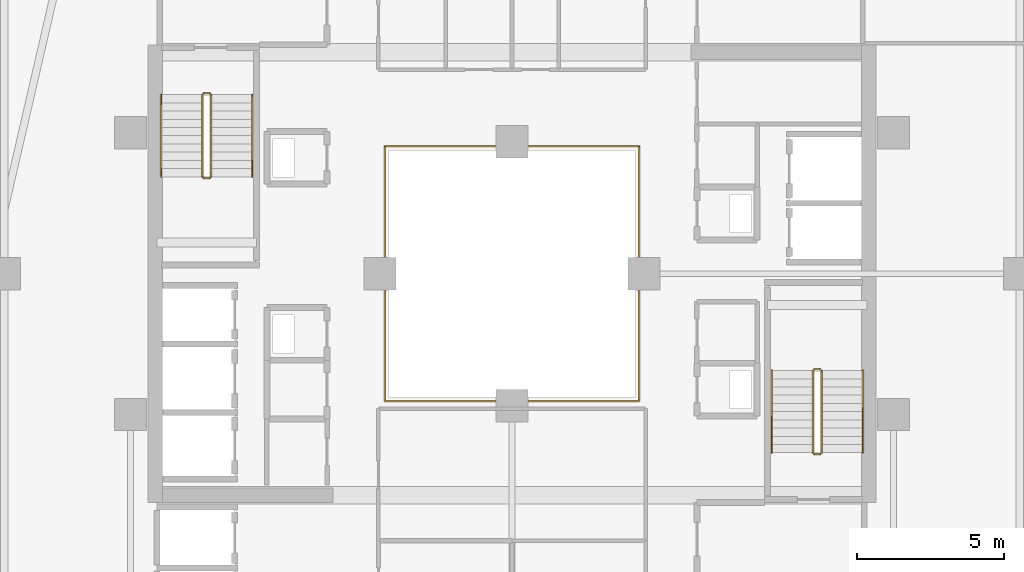
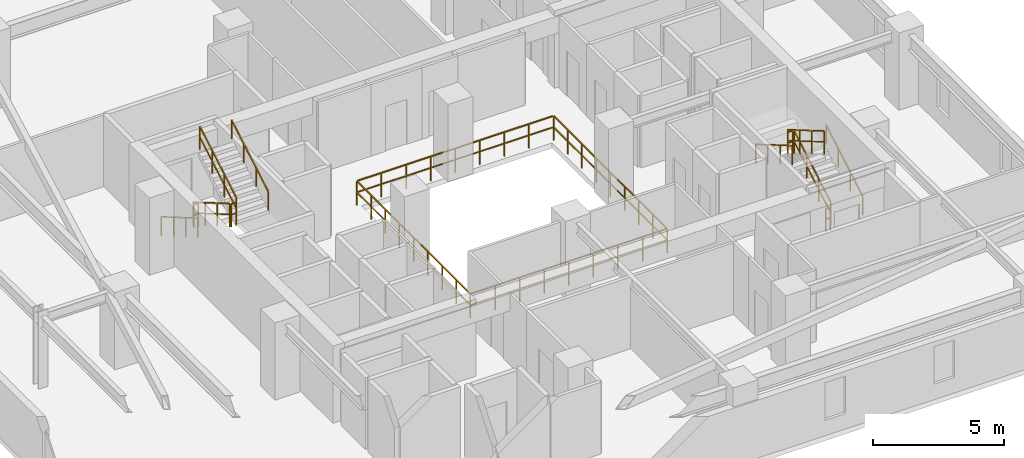
# One storey, part 32 of 33: 13 railings.
"""IFC4 building model written with IfcOpenShell, lengths in metres."""

from ifc_helpers import new_model, si_unit, direction, frame, origin, origin_2d, place, context, subcontext, project, spatial, rectangle, extrude, material, type_object, element, save


model = new_model("IFC4")

# Units and contexts
model_context = context("Model", 3, precision=1e-05, world=origin(), true_north=direction((0.0, 1.0)))
body_context = subcontext(model_context, "Body", "Model", "MODEL_VIEW")
ifc_project = project(units=[si_unit("LENGTHUNIT", "METRE"), si_unit("AREAUNIT", "SQUARE_METRE"), si_unit("VOLUMEUNIT", "CUBIC_METRE"), si_unit("PLANEANGLEUNIT", "RADIAN"), si_unit("MASSUNIT", "GRAM", prefix="KILO")], contexts=[model_context])

# Site, building, storey
site_placement = place(None, origin())
site = spatial("IfcSite", under=ifc_project, at=site_placement, CompositionType="ELEMENT")
building_placement = place(site_placement, origin())
building = spatial("IfcBuilding", under=site, at=building_placement, Name="Thornwick Lancets Civic Towers", CompositionType="ELEMENT")
storey_placement = place(building_placement, frame((0.0, 0.0, 185.699951171875)))
storey = spatial("IfcBuildingStorey", under=building, at=storey_placement, Name="L49", CompositionType="ELEMENT", Elevation=185.699951171875)

# Railings
ifc_material_1 = material(Name="Laminated glass and bronze steel S355", Category="steel")
railing_type_1 = type_object("IfcRailingType", Name="RAIL_ATRIUM_GUARD", PredefinedType="BALUSTRADE", material=ifc_material_1)
railing_1_placement = place(storey_placement, frame((84.159912109375, 22.659912109375, 0.0)))
element("IfcRailing", 1, at=railing_1_placement, inside=storey, type_object=railing_type_1, Name="L49 Tower B Central Atrium Guard Balustrade", PredefinedType="BALUSTRADE", context=body_context, shape_type="SweptSolid", body=[
    extrude(rectangle(XDim=0.048095703125, YDim=0.048095703125, at=origin_2d()), frame((0.0, 0.0, 1.1259765625), z_axis=(1.0, 0.0, 0.0), x_axis=(0.0, 1.0, 0.0)), (0.0, 0.0, 1.0), 8.64892578125),
    extrude(rectangle(XDim=0.0419921875, YDim=0.0419921875, at=origin_2d()), frame((0.03759765625, 0.0, 0.597900390625), z_axis=(1.0, 0.0, 0.0), x_axis=(0.0, 1.0, 0.0)), (0.0, 0.0, 1.0), 1.010009765625),
    extrude(rectangle(XDim=0.0419921875, YDim=0.0419921875, at=origin_2d()), frame((1.12255859375, 0.0, 0.597900390625), z_axis=(1.0, 0.0, 0.0), x_axis=(0.0, 1.0, 0.0)), (0.0, 0.0, 1.0), 1.010009765625),
    extrude(rectangle(XDim=0.0419921875, YDim=0.0419921875, at=origin_2d()), frame((2.20751953125, 0.0, 0.597900390625), z_axis=(1.0, 0.0, 0.0), x_axis=(0.0, 1.0, 0.0)), (0.0, 0.0, 1.0), 1.010009765625),
    extrude(rectangle(XDim=0.0419921875, YDim=0.0419921875, at=origin_2d()), frame((3.29248046875, 0.0, 0.597900390625), z_axis=(1.0, 0.0, 0.0), x_axis=(0.0, 1.0, 0.0)), (0.0, 0.0, 1.0), 1.010009765625),
    extrude(rectangle(XDim=0.0419921875, YDim=0.0419921875, at=origin_2d()), frame((4.377685546875, 0.0, 0.597900390625), z_axis=(1.0, 0.0, 0.0), x_axis=(0.0, 1.0, 0.0)), (0.0, 0.0, 1.0), 1.010009765625),
    extrude(rectangle(XDim=0.0419921875, YDim=0.0419921875, at=origin_2d()), frame((5.462646484375, 0.0, 0.597900390625), z_axis=(1.0, 0.0, 0.0), x_axis=(0.0, 1.0, 0.0)), (0.0, 0.0, 1.0), 1.010009765625),
    extrude(rectangle(XDim=0.0419921875, YDim=0.0419921875, at=origin_2d()), frame((6.547607421875, 0.0, 0.597900390625), z_axis=(1.0, 0.0, 0.0), x_axis=(0.0, 1.0, 0.0)), (0.0, 0.0, 1.0), 1.010009765625),
    extrude(rectangle(XDim=0.0419921875, YDim=0.0419921875, at=origin_2d()), frame((7.632568359375, 0.0, 0.597900390625), z_axis=(1.0, 0.0, 0.0), x_axis=(0.0, 1.0, 0.0)), (0.0, 0.0, 1.0), 1.010009765625),
    extrude(rectangle(XDim=0.048095703125, YDim=0.048095703125, at=origin_2d()), frame((8.68017578125, 0.03125, 1.1259765625), z_axis=(0.0, 1.0, 0.0), x_axis=(-1.0, 0.0, 0.0)), (0.0, 0.0, 1.0), 8.61767578125),
    extrude(rectangle(XDim=0.0419921875, YDim=0.0419921875, at=origin_2d()), frame((8.68017578125, 0.03759765625, 0.597900390625), z_axis=(0.0, 1.0, 0.0), x_axis=(-1.0, 0.0, 0.0)), (0.0, 0.0, 1.0), 1.010009765625),
    extrude(rectangle(XDim=0.0419921875, YDim=0.0419921875, at=origin_2d()), frame((8.68017578125, 1.12255859375, 0.597900390625), z_axis=(0.0, 1.0, 0.0), x_axis=(-1.0, 0.0, 0.0)), (0.0, 0.0, 1.0), 1.010009765625),
    extrude(rectangle(XDim=0.0419921875, YDim=0.0419921875, at=origin_2d()), frame((8.68017578125, 2.20751953125, 0.597900390625), z_axis=(0.0, 1.0, 0.0), x_axis=(-1.0, 0.0, 0.0)), (0.0, 0.0, 1.0), 1.010009765625),
    extrude(rectangle(XDim=0.0419921875, YDim=0.0419921875, at=origin_2d()), frame((8.68017578125, 3.29248046875, 0.597900390625), z_axis=(0.0, 1.0, 0.0), x_axis=(-1.0, 0.0, 0.0)), (0.0, 0.0, 1.0), 1.010009765625),
    extrude(rectangle(XDim=0.0419921875, YDim=0.0419921875, at=origin_2d()), frame((8.68017578125, 4.377685546875, 0.597900390625), z_axis=(0.0, 1.0, 0.0), x_axis=(-1.0, 0.0, 0.0)), (0.0, 0.0, 1.0), 1.010009765625),
    extrude(rectangle(XDim=0.0419921875, YDim=0.0419921875, at=origin_2d()), frame((8.68017578125, 5.462646484375, 0.597900390625), z_axis=(0.0, 1.0, 0.0), x_axis=(-1.0, 0.0, 0.0)), (0.0, 0.0, 1.0), 1.010009765625),
    extrude(rectangle(XDim=0.0419921875, YDim=0.0419921875, at=origin_2d()), frame((8.68017578125, 6.547607421875, 0.597900390625), z_axis=(0.0, 1.0, 0.0), x_axis=(-1.0, 0.0, 0.0)), (0.0, 0.0, 1.0), 1.010009765625),
    extrude(rectangle(XDim=0.0419921875, YDim=0.0419921875, at=origin_2d()), frame((8.68017578125, 7.632568359375, 0.597900390625), z_axis=(0.0, 1.0, 0.0), x_axis=(-1.0, 0.0, 0.0)), (0.0, 0.0, 1.0), 1.010009765625),
    extrude(rectangle(XDim=0.048095703125, YDim=0.048095703125, at=origin_2d()), frame((8.64892578125, 8.68017578125, 1.1259765625), z_axis=(-1.0, 0.0, 0.0), x_axis=(0.0, -1.0, 0.0)), (0.0, 0.0, 1.0), 8.61767578125),
    extrude(rectangle(XDim=0.0419921875, YDim=0.0419921875, at=origin_2d()), frame((8.642578125, 8.68017578125, 0.597900390625), z_axis=(-1.0, 0.0, 0.0), x_axis=(0.0, -1.0, 0.0)), (0.0, 0.0, 1.0), 1.010009765625),
    extrude(rectangle(XDim=0.0419921875, YDim=0.0419921875, at=origin_2d()), frame((7.5576171875, 8.68017578125, 0.597900390625), z_axis=(-1.0, 0.0, 0.0), x_axis=(0.0, -1.0, 0.0)), (0.0, 0.0, 1.0), 1.010009765625),
    extrude(rectangle(XDim=0.0419921875, YDim=0.0419921875, at=origin_2d()), frame((6.47265625, 8.68017578125, 0.597900390625), z_axis=(-1.0, 0.0, 0.0), x_axis=(0.0, -1.0, 0.0)), (0.0, 0.0, 1.0), 1.010009765625),
    extrude(rectangle(XDim=0.0419921875, YDim=0.0419921875, at=origin_2d()), frame((5.3876953125, 8.68017578125, 0.597900390625), z_axis=(-1.0, 0.0, 0.0), x_axis=(0.0, -1.0, 0.0)), (0.0, 0.0, 1.0), 1.010009765625),
    extrude(rectangle(XDim=0.0419921875, YDim=0.0419921875, at=origin_2d()), frame((4.302490234375, 8.68017578125, 0.597900390625), z_axis=(-1.0, 0.0, 0.0), x_axis=(0.0, -1.0, 0.0)), (0.0, 0.0, 1.0), 1.010009765625),
    extrude(rectangle(XDim=0.0419921875, YDim=0.0419921875, at=origin_2d()), frame((3.217529296875, 8.68017578125, 0.597900390625), z_axis=(-1.0, 0.0, 0.0), x_axis=(0.0, -1.0, 0.0)), (0.0, 0.0, 1.0), 1.010009765625),
    extrude(rectangle(XDim=0.0419921875, YDim=0.0419921875, at=origin_2d()), frame((2.132568359375, 8.68017578125, 0.597900390625), z_axis=(-1.0, 0.0, 0.0), x_axis=(0.0, -1.0, 0.0)), (0.0, 0.0, 1.0), 1.010009765625),
    extrude(rectangle(XDim=0.0419921875, YDim=0.0419921875, at=origin_2d()), frame((1.047607421875, 8.68017578125, 0.597900390625), z_axis=(-1.0, 0.0, 0.0), x_axis=(0.0, -1.0, 0.0)), (0.0, 0.0, 1.0), 1.010009765625),
    extrude(rectangle(XDim=0.048095703125, YDim=0.048095703125, at=origin_2d()), frame((0.0, 8.64892578125, 1.1259765625), z_axis=(0.0, -1.0, 0.0), x_axis=(1.0, 0.0, 0.0)), (0.0, 0.0, 1.0), 8.64892578125),
    extrude(rectangle(XDim=0.0419921875, YDim=0.0419921875, at=origin_2d()), frame((0.0, 8.642578125, 0.597900390625), z_axis=(0.0, -1.0, 0.0), x_axis=(1.0, 0.0, 0.0)), (0.0, 0.0, 1.0), 1.010009765625),
    extrude(rectangle(XDim=0.0419921875, YDim=0.0419921875, at=origin_2d()), frame((0.0, 7.5576171875, 0.597900390625), z_axis=(0.0, -1.0, 0.0), x_axis=(1.0, 0.0, 0.0)), (0.0, 0.0, 1.0), 1.010009765625),
    extrude(rectangle(XDim=0.0419921875, YDim=0.0419921875, at=origin_2d()), frame((0.0, 6.47265625, 0.597900390625), z_axis=(0.0, -1.0, 0.0), x_axis=(1.0, 0.0, 0.0)), (0.0, 0.0, 1.0), 1.010009765625),
    extrude(rectangle(XDim=0.0419921875, YDim=0.0419921875, at=origin_2d()), frame((0.0, 5.3876953125, 0.597900390625), z_axis=(0.0, -1.0, 0.0), x_axis=(1.0, 0.0, 0.0)), (0.0, 0.0, 1.0), 1.010009765625),
    extrude(rectangle(XDim=0.0419921875, YDim=0.0419921875, at=origin_2d()), frame((0.0, 4.302490234375, 0.597900390625), z_axis=(0.0, -1.0, 0.0), x_axis=(1.0, 0.0, 0.0)), (0.0, 0.0, 1.0), 1.010009765625),
    extrude(rectangle(XDim=0.0419921875, YDim=0.0419921875, at=origin_2d()), frame((0.0, 3.217529296875, 0.597900390625), z_axis=(0.0, -1.0, 0.0), x_axis=(1.0, 0.0, 0.0)), (0.0, 0.0, 1.0), 1.010009765625),
    extrude(rectangle(XDim=0.0419921875, YDim=0.0419921875, at=origin_2d()), frame((0.0, 2.132568359375, 0.597900390625), z_axis=(0.0, -1.0, 0.0), x_axis=(1.0, 0.0, 0.0)), (0.0, 0.0, 1.0), 1.010009765625),
    extrude(rectangle(XDim=0.0419921875, YDim=0.0419921875, at=origin_2d()), frame((0.0, 1.047607421875, 0.597900390625), z_axis=(0.0, -1.0, 0.0), x_axis=(1.0, 0.0, 0.0)), (0.0, 0.0, 1.0), 1.010009765625),
    extrude(rectangle(XDim=0.0419921875, YDim=0.0419921875, at=origin_2d()), origin(), (0.0, 0.0, 1.0), 1.095703125),
    extrude(rectangle(XDim=0.0419921875, YDim=0.0419921875, at=origin_2d()), frame((1.0849609375, 0.0, 0.0)), (0.0, 0.0, 1.0), 1.095703125),
    extrude(rectangle(XDim=0.0419921875, YDim=0.0419921875, at=origin_2d()), frame((2.169921875, 0.0, 0.0)), (0.0, 0.0, 1.0), 1.095703125),
    extrude(rectangle(XDim=0.0419921875, YDim=0.0419921875, at=origin_2d()), frame((3.255126953125, 0.0, 0.0)), (0.0, 0.0, 1.0), 1.095703125),
    extrude(rectangle(XDim=0.0419921875, YDim=0.0419921875, at=origin_2d()), frame((4.340087890625, 0.0, 0.0)), (0.0, 0.0, 1.0), 1.095703125),
    extrude(rectangle(XDim=0.0419921875, YDim=0.0419921875, at=origin_2d()), frame((5.425048828125, 0.0, 0.0)), (0.0, 0.0, 1.0), 1.095703125),
    extrude(rectangle(XDim=0.0419921875, YDim=0.0419921875, at=origin_2d()), frame((6.51025390625, 0.0, 0.0)), (0.0, 0.0, 1.0), 1.095703125),
    extrude(rectangle(XDim=0.0419921875, YDim=0.0419921875, at=origin_2d()), frame((7.59521484375, 0.0, 0.0)), (0.0, 0.0, 1.0), 1.095703125),
    extrude(rectangle(XDim=0.0419921875, YDim=0.0419921875, at=origin_2d()), frame((8.68017578125, 0.0, 0.0)), (0.0, 0.0, 1.0), 1.095703125),
    extrude(rectangle(XDim=0.0419921875, YDim=0.0419921875, at=origin_2d()), frame((8.68017578125, 1.0849609375, 0.0)), (0.0, 0.0, 1.0), 1.095703125),
    extrude(rectangle(XDim=0.0419921875, YDim=0.0419921875, at=origin_2d()), frame((8.68017578125, 2.169921875, 0.0)), (0.0, 0.0, 1.0), 1.095703125),
    extrude(rectangle(XDim=0.0419921875, YDim=0.0419921875, at=origin_2d()), frame((8.68017578125, 3.255126953125, 0.0)), (0.0, 0.0, 1.0), 1.095703125),
    extrude(rectangle(XDim=0.0419921875, YDim=0.0419921875, at=origin_2d()), frame((8.68017578125, 4.340087890625, 0.0)), (0.0, 0.0, 1.0), 1.095703125),
    extrude(rectangle(XDim=0.0419921875, YDim=0.0419921875, at=origin_2d()), frame((8.68017578125, 5.425048828125, 0.0)), (0.0, 0.0, 1.0), 1.095703125),
    extrude(rectangle(XDim=0.0419921875, YDim=0.0419921875, at=origin_2d()), frame((8.68017578125, 6.51025390625, 0.0)), (0.0, 0.0, 1.0), 1.095703125),
    extrude(rectangle(XDim=0.0419921875, YDim=0.0419921875, at=origin_2d()), frame((8.68017578125, 7.59521484375, 0.0)), (0.0, 0.0, 1.0), 1.095703125),
    extrude(rectangle(XDim=0.0419921875, YDim=0.0419921875, at=origin_2d()), frame((8.68017578125, 8.68017578125, 0.0)), (0.0, 0.0, 1.0), 1.095703125),
    extrude(rectangle(XDim=0.0419921875, YDim=0.0419921875, at=origin_2d()), frame((7.59521484375, 8.68017578125, 0.0)), (0.0, 0.0, 1.0), 1.095703125),
    extrude(rectangle(XDim=0.0419921875, YDim=0.0419921875, at=origin_2d()), frame((6.51025390625, 8.68017578125, 0.0)), (0.0, 0.0, 1.0), 1.095703125),
    extrude(rectangle(XDim=0.0419921875, YDim=0.0419921875, at=origin_2d()), frame((5.425048828125, 8.68017578125, 0.0)), (0.0, 0.0, 1.0), 1.095703125),
    extrude(rectangle(XDim=0.0419921875, YDim=0.0419921875, at=origin_2d()), frame((4.340087890625, 8.68017578125, 0.0)), (0.0, 0.0, 1.0), 1.095703125),
    extrude(rectangle(XDim=0.0419921875, YDim=0.0419921875, at=origin_2d()), frame((3.255126953125, 8.68017578125, 0.0)), (0.0, 0.0, 1.0), 1.095703125),
    extrude(rectangle(XDim=0.0419921875, YDim=0.0419921875, at=origin_2d()), frame((2.169921875, 8.68017578125, 0.0)), (0.0, 0.0, 1.0), 1.095703125),
    extrude(rectangle(XDim=0.0419921875, YDim=0.0419921875, at=origin_2d()), frame((1.0849609375, 8.68017578125, 0.0)), (0.0, 0.0, 1.0), 1.095703125),
    extrude(rectangle(XDim=0.0419921875, YDim=0.0419921875, at=origin_2d()), frame((0.0, 8.68017578125, 0.0)), (0.0, 0.0, 1.0), 1.095703125),
    extrude(rectangle(XDim=0.0419921875, YDim=0.0419921875, at=origin_2d()), frame((0.0, 7.59521484375, 0.0)), (0.0, 0.0, 1.0), 1.095703125),
    extrude(rectangle(XDim=0.0419921875, YDim=0.0419921875, at=origin_2d()), frame((0.0, 6.51025390625, 0.0)), (0.0, 0.0, 1.0), 1.095703125),
    extrude(rectangle(XDim=0.0419921875, YDim=0.0419921875, at=origin_2d()), frame((0.0, 5.425048828125, 0.0)), (0.0, 0.0, 1.0), 1.095703125),
    extrude(rectangle(XDim=0.0419921875, YDim=0.0419921875, at=origin_2d()), frame((0.0, 4.340087890625, 0.0)), (0.0, 0.0, 1.0), 1.095703125),
    extrude(rectangle(XDim=0.0419921875, YDim=0.0419921875, at=origin_2d()), frame((0.0, 3.255126953125, 0.0)), (0.0, 0.0, 1.0), 1.095703125),
    extrude(rectangle(XDim=0.0419921875, YDim=0.0419921875, at=origin_2d()), frame((0.0, 2.169921875, 0.0)), (0.0, 0.0, 1.0), 1.095703125),
    extrude(rectangle(XDim=0.0419921875, YDim=0.0419921875, at=origin_2d()), frame((0.0, 1.0849609375, 0.0)), (0.0, 0.0, 1.0), 1.095703125),
])
ifc_material_2 = material(Name="Brushed stainless steel S355", Category="steel")
railing_type_2 = type_object("IfcRailingType", Name="RAIL_HANDRAIL", PredefinedType="HANDRAIL", material=ifc_material_2)
railing_2_placement = place(storey_placement, frame((100.449951171875, 20.89990234375, 0.16357421875)))
element("IfcRailing", 2, at=railing_2_placement, inside=storey, type_object=railing_type_2, Name="L49 ST-B1 stair handrail 1", PredefinedType="HANDRAIL", context=body_context, shape_type="SweptSolid", body=[
    extrude(rectangle(XDim=0.048095703125, YDim=0.048095703125, at=origin_2d()), frame((0.0, 0.0, 0.8857421875), z_axis=(0.0, 0.863360870873, 0.504586966384), x_axis=(-1.0, 0.0, 0.0)), (0.0, 0.0, 1.0), 3.2431640625),
    extrude(rectangle(XDim=0.0419921875, YDim=0.0419921875, at=origin_2d()), origin(), (0.0, 0.0, 1.0), 0.855712890625),
    extrude(rectangle(XDim=0.0419921875, YDim=0.0419921875, at=origin_2d()), frame((0.0, 0.933349609375, 0.54541015625)), (0.0, 0.0, 1.0), 0.855712890625),
    extrude(rectangle(XDim=0.0419921875, YDim=0.0419921875, at=origin_2d()), frame((0.0, 1.86669921875, 1.091064453125)), (0.0, 0.0, 1.0), 0.855712890625),
    extrude(rectangle(XDim=0.0419921875, YDim=0.0419921875, at=origin_2d()), frame((0.0, 2.800048828125, 1.636474609375)), (0.0, 0.0, 1.0), 0.855712890625),
])
for number, where, name in (
    (3, (97.35009765625, 23.699951171875, 1.963623046875), "L49 ST-B1 stair handrail 2"),
    (4, (76.550048828125, 33.10009765625, 0.16357421875), "L49 ST-B2 stair handrail 1"),
):
    element("IfcRailing", number, at=place(storey_placement, frame(where)), inside=storey, type_object=railing_type_2, Name=name, PredefinedType="HANDRAIL", context=body_context, shape_type="SweptSolid", body=[
        extrude(rectangle(XDim=0.048095703125, YDim=0.048095703125, at=origin_2d()), frame((0.0, 0.0, 0.8857421875), z_axis=(0.0, -0.863360870873, 0.504586966384), x_axis=(1.0, 0.0, 0.0)), (0.0, 0.0, 1.0), 3.2431640625),
        extrude(rectangle(XDim=0.0419921875, YDim=0.0419921875, at=origin_2d()), origin(), (0.0, 0.0, 1.0), 0.855712890625),
        extrude(rectangle(XDim=0.0419921875, YDim=0.0419921875, at=origin_2d()), frame((0.0, -0.933349609375, 0.54541015625)), (0.0, 0.0, 1.0), 0.855712890625),
        extrude(rectangle(XDim=0.0419921875, YDim=0.0419921875, at=origin_2d()), frame((0.0, -1.86669921875, 1.091064453125)), (0.0, 0.0, 1.0), 0.855712890625),
        extrude(rectangle(XDim=0.0419921875, YDim=0.0419921875, at=origin_2d()), frame((0.0, -2.800048828125, 1.636474609375)), (0.0, 0.0, 1.0), 0.855712890625),
    ])
railing_3_placement = place(storey_placement, frame((79.64990234375, 30.300048828125, 1.963623046875)))
element("IfcRailing", 5, at=railing_3_placement, inside=storey, type_object=railing_type_2, Name="L49 ST-B2 stair handrail 2", PredefinedType="HANDRAIL", context=body_context, shape_type="SweptSolid", body=[
    extrude(rectangle(XDim=0.048095703125, YDim=0.048095703125, at=origin_2d()), frame((0.0, 0.0, 0.8857421875), z_axis=(0.0, 0.863360870873, 0.504586966384), x_axis=(-1.0, 0.0, 0.0)), (0.0, 0.0, 1.0), 3.2431640625),
    extrude(rectangle(XDim=0.0419921875, YDim=0.0419921875, at=origin_2d()), origin(), (0.0, 0.0, 1.0), 0.855712890625),
    extrude(rectangle(XDim=0.0419921875, YDim=0.0419921875, at=origin_2d()), frame((0.0, 0.933349609375, 0.54541015625)), (0.0, 0.0, 1.0), 0.855712890625),
    extrude(rectangle(XDim=0.0419921875, YDim=0.0419921875, at=origin_2d()), frame((0.0, 1.86669921875, 1.091064453125)), (0.0, 0.0, 1.0), 0.855712890625),
    extrude(rectangle(XDim=0.0419921875, YDim=0.0419921875, at=origin_2d()), frame((0.0, 2.800048828125, 1.636474609375)), (0.0, 0.0, 1.0), 0.855712890625),
])
ifc_material_3 = material(Name="Steel S355JR", Category="steel")
railing_type_3 = type_object("IfcRailingType", Name="RAIL_STAIR_GUARD", PredefinedType="GUARDRAIL", material=ifc_material_3)
railing_4_placement = place(storey_placement, frame((99.050048828125, 20.89990234375, 0.16357421875)))
element("IfcRailing", 6, at=railing_4_placement, inside=storey, type_object=railing_type_3, Name="L49 ST-B1 stair guard 1", PredefinedType="GUARDRAIL", context=body_context, shape_type="SweptSolid", body=[
    extrude(rectangle(XDim=0.048095703125, YDim=0.048095703125, at=origin_2d()), frame((0.0, 0.0, 1.076171875), z_axis=(0.0, 0.863360870873, 0.504586966384), x_axis=(-1.0, 0.0, 0.0)), (0.0, 0.0, 1.0), 3.2431640625),
    extrude(rectangle(XDim=0.0419921875, YDim=0.0419921875, at=origin_2d()), frame((0.0, 0.032470703125, 0.591064453125), z_axis=(0.0, 0.863360870873, 0.504586966384), x_axis=(-1.0, 0.0, 0.0)), (0.0, 0.0, 1.0), 1.006103515625),
    extrude(rectangle(XDim=0.0419921875, YDim=0.0419921875, at=origin_2d()), frame((0.0, 0.9658203125, 1.136474609375), z_axis=(0.0, 0.863360870873, 0.504586966384), x_axis=(-1.0, 0.0, 0.0)), (0.0, 0.0, 1.0), 1.006103515625),
    extrude(rectangle(XDim=0.0419921875, YDim=0.0419921875, at=origin_2d()), frame((0.0, 1.899169921875, 1.681884765625), z_axis=(0.0, 0.863360870873, 0.504586966384), x_axis=(-1.0, 0.0, 0.0)), (0.0, 0.0, 1.0), 1.006103515625),
    extrude(rectangle(XDim=0.0419921875, YDim=0.0419921875, at=origin_2d()), origin(), (0.0, 0.0, 1.0), 1.0458984375),
    extrude(rectangle(XDim=0.0419921875, YDim=0.0419921875, at=origin_2d()), frame((0.0, 0.933349609375, 0.54541015625)), (0.0, 0.0, 1.0), 1.0458984375),
    extrude(rectangle(XDim=0.0419921875, YDim=0.0419921875, at=origin_2d()), frame((0.0, 1.86669921875, 1.091064453125)), (0.0, 0.0, 1.0), 1.0458984375),
    extrude(rectangle(XDim=0.0419921875, YDim=0.0419921875, at=origin_2d()), frame((0.0, 2.800048828125, 1.636474609375)), (0.0, 0.0, 1.0), 1.0458984375),
])
railing_5_placement = place(storey_placement, frame((99.0, 23.75, 1.800048828125)))
element("IfcRailing", 7, at=railing_5_placement, inside=storey, type_object=railing_type_3, Name="L49 ST-B1 stair guard 2", PredefinedType="GUARDRAIL", context=body_context, shape_type="SweptSolid", body=[
    extrude(rectangle(XDim=0.048095703125, YDim=0.048095703125, at=origin_2d()), frame((0.0, 0.0, 1.076171875), z_axis=(-1.0, 0.0, 0.0), x_axis=(0.0, -1.0, 0.0)), (0.0, 0.0, 1.0), 0.199951171875),
    extrude(rectangle(XDim=0.0419921875, YDim=0.0419921875, at=origin_2d()), frame((-0.03759765625, 0.0, 0.572021484375), z_axis=(-1.0, 0.0, 0.0), x_axis=(0.0, -1.0, 0.0)), (0.0, 0.0, 1.0), 0.125),
    extrude(rectangle(XDim=0.0419921875, YDim=0.0419921875, at=origin_2d()), origin(), (0.0, 0.0, 1.0), 1.0458984375),
    extrude(rectangle(XDim=0.0419921875, YDim=0.0419921875, at=origin_2d()), frame((-0.199951171875, 0.0, 0.0)), (0.0, 0.0, 1.0), 1.0458984375),
])
railing_6_placement = place(storey_placement, frame((98.75, 23.699951171875, 1.963623046875)))
element("IfcRailing", 8, at=railing_6_placement, inside=storey, type_object=railing_type_3, Name="L49 ST-B1 stair guard 3", PredefinedType="GUARDRAIL", context=body_context, shape_type="SweptSolid", body=[
    extrude(rectangle(XDim=0.048095703125, YDim=0.048095703125, at=origin_2d()), frame((0.0, 0.0, 1.076171875), z_axis=(0.0, -0.863360870873, 0.504586966384), x_axis=(1.0, 0.0, 0.0)), (0.0, 0.0, 1.0), 3.2431640625),
    extrude(rectangle(XDim=0.0419921875, YDim=0.0419921875, at=origin_2d()), frame((0.0, -0.032470703125, 0.591064453125), z_axis=(0.0, -0.863360870873, 0.504586966384), x_axis=(1.0, 0.0, 0.0)), (0.0, 0.0, 1.0), 1.006103515625),
    extrude(rectangle(XDim=0.0419921875, YDim=0.0419921875, at=origin_2d()), frame((0.0, -0.9658203125, 1.136474609375), z_axis=(0.0, -0.863360870873, 0.504586966384), x_axis=(1.0, 0.0, 0.0)), (0.0, 0.0, 1.0), 1.006103515625),
    extrude(rectangle(XDim=0.0419921875, YDim=0.0419921875, at=origin_2d()), frame((0.0, -1.899169921875, 1.681884765625), z_axis=(0.0, -0.863360870873, 0.504586966384), x_axis=(1.0, 0.0, 0.0)), (0.0, 0.0, 1.0), 1.006103515625),
    extrude(rectangle(XDim=0.0419921875, YDim=0.0419921875, at=origin_2d()), origin(), (0.0, 0.0, 1.0), 1.0458984375),
    extrude(rectangle(XDim=0.0419921875, YDim=0.0419921875, at=origin_2d()), frame((0.0, -0.933349609375, 0.54541015625)), (0.0, 0.0, 1.0), 1.0458984375),
    extrude(rectangle(XDim=0.0419921875, YDim=0.0419921875, at=origin_2d()), frame((0.0, -1.86669921875, 1.091064453125)), (0.0, 0.0, 1.0), 1.0458984375),
    extrude(rectangle(XDim=0.0419921875, YDim=0.0419921875, at=origin_2d()), frame((0.0, -2.800048828125, 1.636474609375)), (0.0, 0.0, 1.0), 1.0458984375),
])
railing_7_placement = place(storey_placement, frame((99.0, 20.85009765625, 0.0)))
element("IfcRailing", 9, at=railing_7_placement, inside=storey, type_object=railing_type_3, Name="L49 ST-B1 stair guard 4", PredefinedType="GUARDRAIL", context=body_context, shape_type="SweptSolid", body=[
    extrude(rectangle(XDim=0.048095703125, YDim=0.048095703125, at=origin_2d()), frame((0.0, 0.0, 1.076171875), z_axis=(-1.0, 0.0, 0.0), x_axis=(0.0, -1.0, 0.0)), (0.0, 0.0, 1.0), 0.199951171875),
    extrude(rectangle(XDim=0.0419921875, YDim=0.0419921875, at=origin_2d()), frame((-0.03759765625, 0.0, 0.572021484375), z_axis=(-1.0, 0.0, 0.0), x_axis=(0.0, -1.0, 0.0)), (0.0, 0.0, 1.0), 0.125),
    extrude(rectangle(XDim=0.0419921875, YDim=0.0419921875, at=origin_2d()), origin(), (0.0, 0.0, 1.0), 1.0458984375),
    extrude(rectangle(XDim=0.0419921875, YDim=0.0419921875, at=origin_2d()), frame((-0.199951171875, 0.0, 0.0)), (0.0, 0.0, 1.0), 1.0458984375),
])
railing_8_placement = place(storey_placement, frame((77.949951171875, 33.10009765625, 0.16357421875)))
element("IfcRailing", 10, at=railing_8_placement, inside=storey, type_object=railing_type_3, Name="L49 ST-B2 stair guard 1", PredefinedType="GUARDRAIL", context=body_context, shape_type="SweptSolid", body=[
    extrude(rectangle(XDim=0.048095703125, YDim=0.048095703125, at=origin_2d()), frame((0.0, 0.0, 1.076171875), z_axis=(0.0, -0.863360870873, 0.504586966384), x_axis=(1.0, 0.0, 0.0)), (0.0, 0.0, 1.0), 3.2431640625),
    extrude(rectangle(XDim=0.0419921875, YDim=0.0419921875, at=origin_2d()), frame((0.0, -0.032470703125, 0.591064453125), z_axis=(0.0, -0.863360870873, 0.504586966384), x_axis=(1.0, 0.0, 0.0)), (0.0, 0.0, 1.0), 1.006103515625),
    extrude(rectangle(XDim=0.0419921875, YDim=0.0419921875, at=origin_2d()), frame((0.0, -0.9658203125, 1.136474609375), z_axis=(0.0, -0.863360870873, 0.504586966384), x_axis=(1.0, 0.0, 0.0)), (0.0, 0.0, 1.0), 1.006103515625),
    extrude(rectangle(XDim=0.0419921875, YDim=0.0419921875, at=origin_2d()), frame((0.0, -1.899169921875, 1.681884765625), z_axis=(0.0, -0.863360870873, 0.504586966384), x_axis=(1.0, 0.0, 0.0)), (0.0, 0.0, 1.0), 1.006103515625),
    extrude(rectangle(XDim=0.0419921875, YDim=0.0419921875, at=origin_2d()), origin(), (0.0, 0.0, 1.0), 1.0458984375),
    extrude(rectangle(XDim=0.0419921875, YDim=0.0419921875, at=origin_2d()), frame((0.0, -0.933349609375, 0.54541015625)), (0.0, 0.0, 1.0), 1.0458984375),
    extrude(rectangle(XDim=0.0419921875, YDim=0.0419921875, at=origin_2d()), frame((0.0, -1.86669921875, 1.091064453125)), (0.0, 0.0, 1.0), 1.0458984375),
    extrude(rectangle(XDim=0.0419921875, YDim=0.0419921875, at=origin_2d()), frame((0.0, -2.800048828125, 1.636474609375)), (0.0, 0.0, 1.0), 1.0458984375),
])
railing_9_placement = place(storey_placement, frame((78.0, 30.25, 1.800048828125)))
element("IfcRailing", 11, at=railing_9_placement, inside=storey, type_object=railing_type_3, Name="L49 ST-B2 stair guard 2", PredefinedType="GUARDRAIL", context=body_context, shape_type="SweptSolid", body=[
    extrude(rectangle(XDim=0.048095703125, YDim=0.048095703125, at=origin_2d()), frame((0.0, 0.0, 1.076171875), z_axis=(1.0, 0.0, 0.0), x_axis=(0.0, 1.0, 0.0)), (0.0, 0.0, 1.0), 0.199951171875),
    extrude(rectangle(XDim=0.0419921875, YDim=0.0419921875, at=origin_2d()), frame((0.03759765625, 0.0, 0.572021484375), z_axis=(1.0, 0.0, 0.0), x_axis=(0.0, 1.0, 0.0)), (0.0, 0.0, 1.0), 0.125),
    extrude(rectangle(XDim=0.0419921875, YDim=0.0419921875, at=origin_2d()), origin(), (0.0, 0.0, 1.0), 1.0458984375),
    extrude(rectangle(XDim=0.0419921875, YDim=0.0419921875, at=origin_2d()), frame((0.199951171875, 0.0, 0.0)), (0.0, 0.0, 1.0), 1.0458984375),
])
railing_10_placement = place(storey_placement, frame((78.25, 30.300048828125, 1.963623046875)))
element("IfcRailing", 12, at=railing_10_placement, inside=storey, type_object=railing_type_3, Name="L49 ST-B2 stair guard 3", PredefinedType="GUARDRAIL", context=body_context, shape_type="SweptSolid", body=[
    extrude(rectangle(XDim=0.048095703125, YDim=0.048095703125, at=origin_2d()), frame((0.0, 0.0, 1.076171875), z_axis=(0.0, 0.863360870873, 0.504586966384), x_axis=(-1.0, 0.0, 0.0)), (0.0, 0.0, 1.0), 3.2431640625),
    extrude(rectangle(XDim=0.0419921875, YDim=0.0419921875, at=origin_2d()), frame((0.0, 0.032470703125, 0.591064453125), z_axis=(0.0, 0.863360870873, 0.504586966384), x_axis=(-1.0, 0.0, 0.0)), (0.0, 0.0, 1.0), 1.006103515625),
    extrude(rectangle(XDim=0.0419921875, YDim=0.0419921875, at=origin_2d()), frame((0.0, 0.9658203125, 1.136474609375), z_axis=(0.0, 0.863360870873, 0.504586966384), x_axis=(-1.0, 0.0, 0.0)), (0.0, 0.0, 1.0), 1.006103515625),
    extrude(rectangle(XDim=0.0419921875, YDim=0.0419921875, at=origin_2d()), frame((0.0, 1.899169921875, 1.681884765625), z_axis=(0.0, 0.863360870873, 0.504586966384), x_axis=(-1.0, 0.0, 0.0)), (0.0, 0.0, 1.0), 1.006103515625),
    extrude(rectangle(XDim=0.0419921875, YDim=0.0419921875, at=origin_2d()), origin(), (0.0, 0.0, 1.0), 1.0458984375),
    extrude(rectangle(XDim=0.0419921875, YDim=0.0419921875, at=origin_2d()), frame((0.0, 0.933349609375, 0.54541015625)), (0.0, 0.0, 1.0), 1.0458984375),
    extrude(rectangle(XDim=0.0419921875, YDim=0.0419921875, at=origin_2d()), frame((0.0, 1.86669921875, 1.091064453125)), (0.0, 0.0, 1.0), 1.0458984375),
    extrude(rectangle(XDim=0.0419921875, YDim=0.0419921875, at=origin_2d()), frame((0.0, 2.800048828125, 1.636474609375)), (0.0, 0.0, 1.0), 1.0458984375),
])
railing_11_placement = place(storey_placement, frame((78.0, 33.14990234375, 0.0)))
element("IfcRailing", 13, at=railing_11_placement, inside=storey, type_object=railing_type_3, Name="L49 ST-B2 stair guard 4", PredefinedType="GUARDRAIL", context=body_context, shape_type="SweptSolid", body=[
    extrude(rectangle(XDim=0.048095703125, YDim=0.048095703125, at=origin_2d()), frame((0.0, 0.0, 1.076171875), z_axis=(1.0, 0.0, 0.0), x_axis=(0.0, 1.0, 0.0)), (0.0, 0.0, 1.0), 0.199951171875),
    extrude(rectangle(XDim=0.0419921875, YDim=0.0419921875, at=origin_2d()), frame((0.03759765625, 0.0, 0.572021484375), z_axis=(1.0, 0.0, 0.0), x_axis=(0.0, 1.0, 0.0)), (0.0, 0.0, 1.0), 0.125),
    extrude(rectangle(XDim=0.0419921875, YDim=0.0419921875, at=origin_2d()), origin(), (0.0, 0.0, 1.0), 1.0458984375),
    extrude(rectangle(XDim=0.0419921875, YDim=0.0419921875, at=origin_2d()), frame((0.199951171875, 0.0, 0.0)), (0.0, 0.0, 1.0), 1.0458984375),
])

save(model, "model.ifc")
